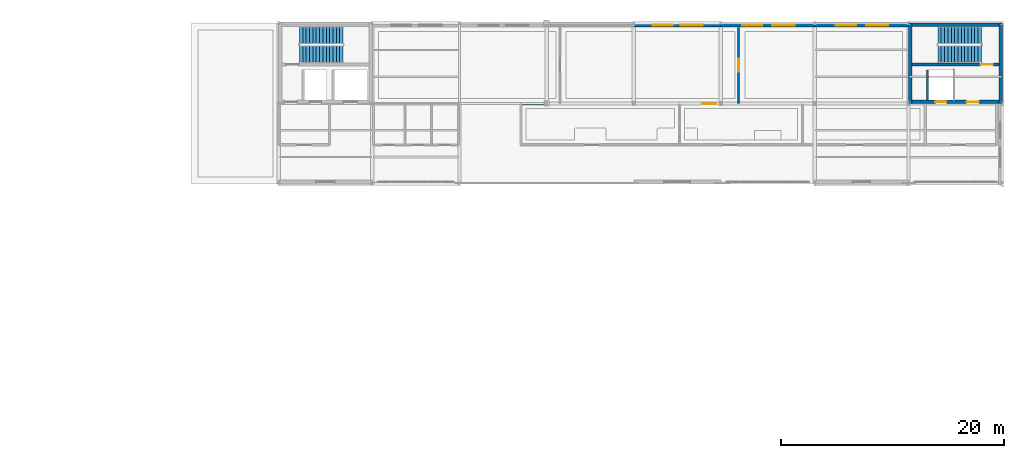
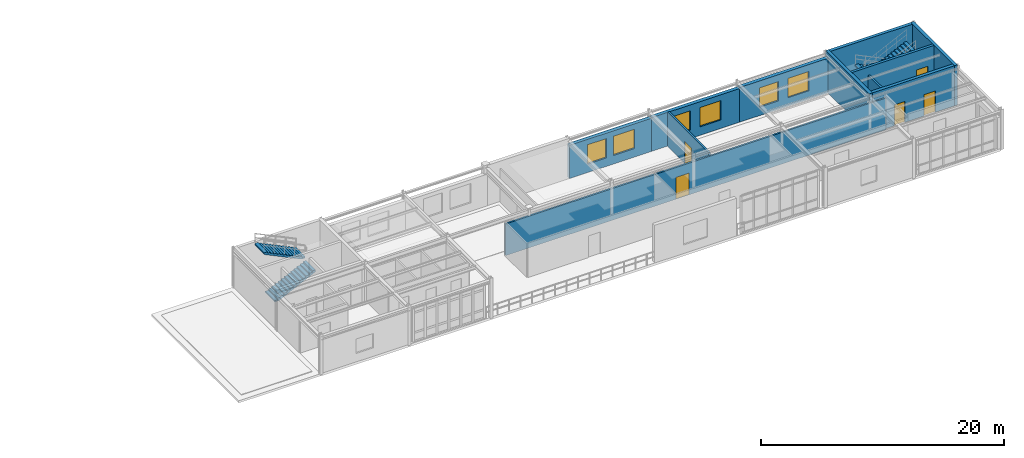
# One storey, part 15 of 20: 11 walls, 6 windows, 5 doors, 4 stair flights, 11 openings, 2 elements without a shape of their own.
"""IFC4 building model written with IfcOpenShell, lengths in metres."""

from ifc_helpers import new_model, si_unit, derived_unit, direction, frame, frame_2d, origin, place, context, subcontext, project, spatial, polyline, rectangle, outline, extrude, material, layer, layer_set, type_object, element, fill, aggregate, save


model = new_model("IFC4")

# Units and contexts
model_context = context("Model", 3, precision=1e-05, world=origin(), true_north=direction((0.0, 1.0)))
body_context = subcontext(model_context, "Body", "Model", "MODEL_VIEW")
ifc_project = project(units=[si_unit("LENGTHUNIT", "METRE"), si_unit("AREAUNIT", "SQUARE_METRE"), si_unit("VOLUMEUNIT", "CUBIC_METRE"), si_unit("PLANEANGLEUNIT", "RADIAN"), si_unit("MASSUNIT", "GRAM", prefix="KILO"), derived_unit("THERMALTRANSMITTANCEUNIT", [(si_unit("POWERUNIT", "WATT"), 1), (si_unit("AREAUNIT", "SQUARE_METRE"), -1), (si_unit("THERMODYNAMICTEMPERATUREUNIT", "KELVIN"), -1)])], contexts=[model_context])

# Site, building, storey
site_placement = place(None, origin())
site = spatial("IfcSite", under=ifc_project, at=site_placement, CompositionType="ELEMENT")
building_placement = place(site_placement, origin())
building = spatial("IfcBuilding", under=site, at=building_placement, Name="Yasenodar Specialist Clinic", CompositionType="ELEMENT")
storey_placement = place(building_placement, frame((0.0, 0.0, 25.35009765625)))
storey = spatial("IfcBuildingStorey", under=building, at=storey_placement, Name="L06", CompositionType="ELEMENT", Elevation=25.35009765625)

# Wall, openings, windows
ifc_material_1 = material(Name="Buff Architectural Terracotta Rainscreen", Category="masonry")
ifc_layer_1 = layer(ifc_material_1, 0.340087890625)
ifc_layer_set_1 = layer_set([ifc_layer_1], Name="Buff Architectural Terracotta Rainscreen")
wall_type_1 = type_object("IfcWallType", Name="EW-TERR-340", PredefinedType="SOLIDWALL", material=ifc_layer_set_1)
wall_1_placement = place(storey_placement, frame((88.800048828125, 111.39990234375, 0.0), z_axis=(0.0, 0.0, 1.0), x_axis=(1.0, 0.0, 0.0)))
wall_1 = element("IfcWall", 1, at=wall_1_placement, inside=storey, type_object=wall_type_1, Name="L06 Exterior Facade Wall 0192", PredefinedType="SOLIDWALL", context=body_context, shape_type="SweptSolid", body=[
    extrude(rectangle(XDim=7.800048828125, YDim=0.340087890625, at=frame_2d((3.89990234375, 0.0))), origin(), (0.0, 0.0, 1.0), 3.337890625),
])
opening_1_placement = place(wall_1_placement, frame((1.699951171875, 0.0, 0.85009765625)))
opening_1 = element("IfcOpeningElement", 2, at=opening_1_placement, cuts=wall_1, Name="Opening W-05", PredefinedType="OPENING", context=body_context, shape_type="SweptSolid", body=[
    extrude(rectangle(XDim=1.800048828125, YDim=1.949951171875, at=frame_2d((0.89990234375, 0.97509765625))), frame((0.0, 0.18017578125, 0.0), z_axis=(0.0, -1.0, 0.0), x_axis=(1.0, 0.0, 0.0)), (0.0, 0.0, 1.0), 0.360107421875),
])
opening_2_placement = place(wall_1_placement, frame((4.199951171875, 0.0, 0.85009765625)))
opening_2 = element("IfcOpeningElement", 3, at=opening_2_placement, cuts=wall_1, Name="Opening W-06", PredefinedType="OPENING", context=body_context, shape_type="SweptSolid", body=[
    extrude(rectangle(XDim=2.0, YDim=1.949951171875, at=frame_2d((1.0, 0.97509765625))), frame((0.0, 0.18017578125, 0.0), z_axis=(0.0, -1.0, 0.0), x_axis=(1.0, 0.0, 0.0)), (0.0, 0.0, 1.0), 0.360107421875),
])
ifc_material_2 = material(Name="Triple Low-E Argon Glazing in Bronze Aluminium Frame", Category="aluminium")
window_type_1 = type_object("IfcWindowType", Name="WIN-EXT-05", PartitioningType="SINGLE_PANEL", PredefinedType="WINDOW", material=ifc_material_2)
window_1_placement = place(opening_1_placement, origin())
window_1 = element("IfcWindow", 4, at=window_1_placement, inside=storey, type_object=window_type_1, Name="L06 Triple-Glazed Reveal Window 0230", OverallHeight=1.949951171875, OverallWidth=1.800048828125, PartitioningType="SINGLE_PANEL", PredefinedType="WINDOW", context=body_context, shape_type="SweptSolid", body=[
    extrude(rectangle(XDim=1.800048828125, YDim=1.949951171875, at=frame_2d((0.89990234375, 0.97509765625))), frame((0.0, 0.030029296875, 0.0), z_axis=(0.0, -1.0, 0.0), x_axis=(1.0, 0.0, 0.0)), (0.0, 0.0, 1.0), 0.06005859375),
])
fill(opening_1, window_1)
window_type_2 = type_object("IfcWindowType", Name="WIN-EXT-06", PartitioningType="SINGLE_PANEL", PredefinedType="WINDOW", material=ifc_material_2)
window_2_placement = place(opening_2_placement, origin())
window_2 = element("IfcWindow", 5, at=window_2_placement, inside=storey, type_object=window_type_2, Name="L06 Triple-Glazed Reveal Window 0231", OverallHeight=1.949951171875, OverallWidth=2.0, PartitioningType="SINGLE_PANEL", PredefinedType="WINDOW", context=body_context, shape_type="SweptSolid", body=[
    extrude(rectangle(XDim=2.0, YDim=1.949951171875, at=frame_2d((1.0, 0.97509765625))), frame((0.0, 0.030029296875, 0.0), z_axis=(0.0, -1.0, 0.0), x_axis=(1.0, 0.0, 0.0)), (0.0, 0.0, 1.0), 0.06005859375),
])
fill(opening_2, window_2)

wall_2_placement = place(storey_placement, frame((105.0, 111.39990234375, 0.0), z_axis=(0.0, 0.0, 1.0), x_axis=(1.0, 0.0, 0.0)))
wall_2 = element("IfcWall", 6, at=wall_2_placement, inside=storey, type_object=wall_type_1, Name="L06 Exterior Facade Wall 0193", PredefinedType="SOLIDWALL", context=body_context, shape_type="SweptSolid", body=[
    extrude(rectangle(XDim=8.39990234375, YDim=0.340087890625, at=frame_2d((4.199951171875, 0.0))), origin(), (0.0, 0.0, 1.0), 3.48779296875),
])
opening_3_placement = place(wall_2_placement, frame((1.89990234375, 0.0, 0.85009765625)))
opening_3 = element("IfcOpeningElement", 7, at=opening_3_placement, cuts=wall_2, Name="Opening W-05", PredefinedType="OPENING", context=body_context, shape_type="SweptSolid", body=[
    extrude(rectangle(XDim=1.800048828125, YDim=1.949951171875, at=frame_2d((0.89990234375, 0.97509765625))), frame((0.0, 0.18017578125, 0.0), z_axis=(0.0, -1.0, 0.0), x_axis=(1.0, 0.0, 0.0)), (0.0, 0.0, 1.0), 0.360107421875),
])
opening_4_placement = place(wall_2_placement, frame((4.60009765625, 0.0, 0.85009765625)))
opening_4 = element("IfcOpeningElement", 8, at=opening_4_placement, cuts=wall_2, Name="Opening W-06", PredefinedType="OPENING", context=body_context, shape_type="SweptSolid", body=[
    extrude(rectangle(XDim=2.0, YDim=1.949951171875, at=frame_2d((1.0, 0.97509765625))), frame((0.0, 0.18017578125, 0.0), z_axis=(0.0, -1.0, 0.0), x_axis=(1.0, 0.0, 0.0)), (0.0, 0.0, 1.0), 0.360107421875),
])
window_3_placement = place(opening_3_placement, origin())
window_3 = element("IfcWindow", 9, at=window_3_placement, inside=storey, type_object=window_type_1, Name="L06 Triple-Glazed Reveal Window 0232", OverallHeight=1.949951171875, OverallWidth=1.800048828125, PartitioningType="SINGLE_PANEL", PredefinedType="WINDOW", context=body_context, shape_type="SweptSolid", body=[
    extrude(rectangle(XDim=1.800048828125, YDim=1.949951171875, at=frame_2d((0.89990234375, 0.97509765625))), frame((0.0, 0.030029296875, 0.0), z_axis=(0.0, -1.0, 0.0), x_axis=(1.0, 0.0, 0.0)), (0.0, 0.0, 1.0), 0.06005859375),
])
fill(opening_3, window_3)
window_4_placement = place(opening_4_placement, origin())
window_4 = element("IfcWindow", 10, at=window_4_placement, inside=storey, type_object=window_type_2, Name="L06 Triple-Glazed Reveal Window 0233", OverallHeight=1.949951171875, OverallWidth=2.0, PartitioningType="SINGLE_PANEL", PredefinedType="WINDOW", context=body_context, shape_type="SweptSolid", body=[
    extrude(rectangle(XDim=2.0, YDim=1.949951171875, at=frame_2d((1.0, 0.97509765625))), frame((0.0, 0.030029296875, 0.0), z_axis=(0.0, -1.0, 0.0), x_axis=(1.0, 0.0, 0.0)), (0.0, 0.0, 1.0), 0.06005859375),
])
fill(opening_4, window_4)

wall_3_placement = place(storey_placement, frame((96.60009765625, 111.39990234375, 0.0), z_axis=(0.0, 0.0, 1.0), x_axis=(1.0, 0.0, 0.0)))
wall_3 = element("IfcWall", 11, at=wall_3_placement, inside=storey, type_object=wall_type_1, Name="L06 Exterior Facade Wall 0194", PredefinedType="SOLIDWALL", context=body_context, shape_type="SweptSolid", body=[
    extrude(rectangle(XDim=8.39990234375, YDim=0.340087890625, at=frame_2d((4.199951171875, 0.0))), origin(), (0.0, 0.0, 1.0), 3.387939453125),
])
opening_5_placement = place(wall_3_placement, frame((1.89990234375, 0.0, 0.85009765625)))
opening_5 = element("IfcOpeningElement", 12, at=opening_5_placement, cuts=wall_3, Name="Opening W-05", PredefinedType="OPENING", context=body_context, shape_type="SweptSolid", body=[
    extrude(rectangle(XDim=1.800048828125, YDim=1.949951171875, at=frame_2d((0.89990234375, 0.97509765625))), frame((0.0, 0.18017578125, 0.0), z_axis=(0.0, -1.0, 0.0), x_axis=(1.0, 0.0, 0.0)), (0.0, 0.0, 1.0), 0.360107421875),
])
opening_6_placement = place(wall_3_placement, frame((4.60009765625, 0.0, 0.85009765625)))
opening_6 = element("IfcOpeningElement", 13, at=opening_6_placement, cuts=wall_3, Name="Opening W-06", PredefinedType="OPENING", context=body_context, shape_type="SweptSolid", body=[
    extrude(rectangle(XDim=2.0, YDim=1.949951171875, at=frame_2d((1.0, 0.97509765625))), frame((0.0, 0.18017578125, 0.0), z_axis=(0.0, -1.0, 0.0), x_axis=(1.0, 0.0, 0.0)), (0.0, 0.0, 1.0), 0.360107421875),
])
window_5_placement = place(opening_5_placement, origin())
window_5 = element("IfcWindow", 14, at=window_5_placement, inside=storey, type_object=window_type_1, Name="L06 Triple-Glazed Reveal Window 0234", OverallHeight=1.949951171875, OverallWidth=1.800048828125, PartitioningType="SINGLE_PANEL", PredefinedType="WINDOW", context=body_context, shape_type="SweptSolid", body=[
    extrude(rectangle(XDim=1.800048828125, YDim=1.949951171875, at=frame_2d((0.89990234375, 0.97509765625))), frame((0.0, 0.030029296875, 0.0), z_axis=(0.0, -1.0, 0.0), x_axis=(1.0, 0.0, 0.0)), (0.0, 0.0, 1.0), 0.06005859375),
])
fill(opening_5, window_5)
window_6_placement = place(opening_6_placement, origin())
window_6 = element("IfcWindow", 15, at=window_6_placement, inside=storey, type_object=window_type_2, Name="L06 Triple-Glazed Reveal Window 0235", OverallHeight=1.949951171875, OverallWidth=2.0, PartitioningType="SINGLE_PANEL", PredefinedType="WINDOW", context=body_context, shape_type="SweptSolid", body=[
    extrude(rectangle(XDim=2.0, YDim=1.949951171875, at=frame_2d((1.0, 0.97509765625))), frame((0.0, 0.030029296875, 0.0), z_axis=(0.0, -1.0, 0.0), x_axis=(1.0, 0.0, 0.0)), (0.0, 0.0, 1.0), 0.06005859375),
])
fill(opening_6, window_6)

# Wall, opening, door
ifc_material_3 = material(Name="Acoustic Double-Gypsum Consulting Partition")
ifc_layer_2 = layer(ifc_material_3, 0.159912109375)
ifc_layer_set_2 = layer_set([ifc_layer_2], Name="Acoustic Double-Gypsum Consulting Partition")
wall_type_2 = type_object("IfcWallType", Name="IW-CONS-160", PredefinedType="PARTITIONING", material=ifc_layer_set_2)
wall_4_placement = place(storey_placement, frame((78.699951171875, 104.35009765625, 0.0), z_axis=(0.0, 0.0, 1.0), x_axis=(1.0, 0.0, 0.0)))
wall_4 = element("IfcWall", 16, at=wall_4_placement, inside=storey, type_object=wall_type_2, Name="L06 Wing V5 L06 North Spine Partition", PredefinedType="PARTITIONING", context=body_context, shape_type="SweptSolid", body=[
    extrude(rectangle(XDim=36.199951171875, YDim=0.159912109375, at=frame_2d((18.10009765625, 0.0))), origin(), (0.0, 0.0, 1.0), 3.18798828125),
])
opening_7_placement = place(wall_4_placement, frame((16.22998046875, 0.0, 0.0)))
opening_7 = element("IfcOpeningElement", 17, at=opening_7_placement, cuts=wall_4, Name="Opening D-07", PredefinedType="OPENING", context=body_context, shape_type="SweptSolid", body=[
    extrude(rectangle(XDim=1.239990234375, YDim=2.199951171875, at=frame_2d((0.6201171875, 1.10009765625))), frame((0.0, 0.08984375, 0.0), z_axis=(0.0, -1.0, 0.0), x_axis=(1.0, 0.0, 0.0)), (0.0, 0.0, 1.0), 0.179931640625),
])
ifc_material_4 = material(Name="Powder-Coated Steel and Acoustic Laminate Leaf", Category="steel")
door_type_1 = type_object("IfcDoorType", Name="DR-CLN-124", OperationType="NOTDEFINED", PredefinedType="DOOR", material=ifc_material_4)
door_1_placement = place(opening_7_placement, origin())
door_1 = element("IfcDoor", 18, at=door_1_placement, inside=storey, type_object=door_type_1, Name="L06 Medical Ethics Seminar Room Door", OperationType="SINGLE_SWING_LEFT", OverallHeight=2.199951171875, OverallWidth=1.239990234375, PredefinedType="DOOR", context=body_context, shape_type="SweptSolid", body=[
    extrude(rectangle(XDim=1.239990234375, YDim=2.199951171875, at=frame_2d((0.6201171875, 1.10009765625))), frame((0.0, 0.02490234375, 0.0), z_axis=(0.0, -1.0, 0.0), x_axis=(1.0, 0.0, 0.0)), (0.0, 0.0, 1.0), 0.050048828125),
])
fill(opening_7, door_1)

ifc_material_5 = material(Name="Hygienic Double-Stud Clinical Partition")
ifc_layer_3 = layer(ifc_material_5, 0.179931640625)
ifc_layer_set_3 = layer_set([ifc_layer_3], Name="Hygienic Double-Stud Clinical Partition")
wall_type_3 = type_object("IfcWallType", Name="IW-PROC-180", PredefinedType="PARTITIONING", material=ifc_layer_set_3)
wall_5_placement = place(storey_placement, frame((98.199951171875, 111.199951171875, 0.0), z_axis=(0.0, 0.0, 1.0), x_axis=(0.0, -1.0, 0.0)))
wall_5 = element("IfcWall", 19, at=wall_5_placement, inside=storey, type_object=wall_type_3, Name="L06 Biostatistics Clinical Trials Suite Partition", PredefinedType="PARTITIONING", context=body_context, shape_type="SweptSolid", body=[
    extrude(rectangle(XDim=6.7900390625, YDim=0.179931640625, at=frame_2d((3.39501953125, 0.0))), origin(), (0.0, 0.0, 1.0), 3.4580078125),
])
opening_8_placement = place(wall_5_placement, frame((2.800048828125, 0.0, 0.0)))
opening_8 = element("IfcOpeningElement", 20, at=opening_8_placement, cuts=wall_5, Name="Opening D-06", PredefinedType="OPENING", context=body_context, shape_type="SweptSolid", body=[
    extrude(rectangle(XDim=1.179931640625, YDim=2.199951171875, at=frame_2d((0.58984375, 1.10009765625))), frame((0.0, 0.10009765625, 0.0), z_axis=(0.0, -1.0, 0.0), x_axis=(1.0, 0.0, 0.0)), (0.0, 0.0, 1.0), 0.199951171875),
])
door_type_2 = type_object("IfcDoorType", Name="DR-CLN-118", OperationType="NOTDEFINED", PredefinedType="DOOR", material=ifc_material_4)
door_2_placement = place(opening_8_placement, origin())
door_2 = element("IfcDoor", 21, at=door_2_placement, inside=storey, type_object=door_type_2, Name="L06 Biostatistics Clinical Trials Suite Door", OperationType="SINGLE_SWING_RIGHT", OverallHeight=2.199951171875, OverallWidth=1.179931640625, PredefinedType="DOOR", context=body_context, shape_type="SweptSolid", body=[
    extrude(rectangle(XDim=1.179931640625, YDim=2.199951171875, at=frame_2d((0.58984375, 1.10009765625))), frame((0.0, 0.02490234375, 0.0), z_axis=(0.0, -1.0, 0.0), x_axis=(1.0, 0.0, 0.0)), (0.0, 0.0, 1.0), 0.050048828125),
])
fill(opening_8, door_2)

# Wall
ifc_material_6 = material(Name="Aerated Concrete Blockwork Fire Shaft Wall", Category="masonry")
ifc_layer_4 = layer(ifc_material_6, 0.205078125)
ifc_layer_set_4 = layer_set([ifc_layer_4], Name="Aerated Concrete Blockwork Fire Shaft Wall")
wall_type_4 = type_object("IfcWallType", Name="IW-SHAFT-205", PredefinedType="PARTITIONING", material=ifc_layer_set_4)
wall_6_placement = place(storey_placement, frame((115.10009765625, 104.699951171875, 0.0), z_axis=(0.0, 0.0, 1.0), x_axis=(0.0, 1.0, 0.0)))
element("IfcWall", 22, at=wall_6_placement, inside=storey, type_object=wall_type_4, Name="L06 LF-08 Lift Shaft Side Wall", PredefinedType="PARTITIONING", context=body_context, shape_type="SweptSolid", body=[
    extrude(rectangle(XDim=2.699951171875, YDim=0.205078125, at=frame_2d((1.35009765625, 0.0))), origin(), (0.0, 0.0, 1.0), 3.537841796875),
])

# Wall, opening, door
ifc_material_7 = material(Name="Concrete C35/45", Category="concrete")
ifc_layer_5 = layer(ifc_material_7, 0.25)
ifc_layer_set_5 = layer_set([ifc_layer_5], Name="Concrete C35/45")
wall_type_5 = type_object("IfcWallType", Name="WL-CORE-250", PredefinedType="SHEAR", material=ifc_layer_set_5)
wall_7_placement = place(storey_placement, frame((113.699951171875, 107.89990234375, 0.0), z_axis=(0.0, 0.0, 1.0), x_axis=(1.0, 0.0, 0.0)))
wall_7 = element("IfcWall", 23, at=wall_7_placement, inside=storey, type_object=wall_type_5, Name="L06 Core C5 Central Spine Wall", PredefinedType="SHEAR", context=body_context, shape_type="SweptSolid", body=[
    extrude(rectangle(XDim=7.800048828125, YDim=0.25, at=frame_2d((3.89990234375, 0.0))), origin(), (0.0, 0.0, 1.0), 4.0498046875),
])
opening_9_placement = place(wall_7_placement, frame((6.14990234375, 0.0, 0.0)))
opening_9 = element("IfcOpeningElement", 24, at=opening_9_placement, cuts=wall_7, Name="Opening FD-01", PredefinedType="OPENING", context=body_context, shape_type="SweptSolid", body=[
    extrude(rectangle(XDim=1.10009765625, YDim=2.14990234375, at=frame_2d((0.550048828125, 1.074951171875))), frame((0.0, 0.135009765625, 0.0), z_axis=(0.0, -1.0, 0.0), x_axis=(1.0, 0.0, 0.0)), (0.0, 0.0, 1.0), 0.27001953125),
])
ifc_material_8 = material(Name="Fire-Rated Insulated Steel Door", Category="steel")
door_type_3 = type_object("IfcDoorType", Name="DR-FD-110", OperationType="NOTDEFINED", PredefinedType="DOOR", material=ifc_material_8)
door_3_placement = place(opening_9_placement, origin())
door_3 = element("IfcDoor", 25, at=door_3_placement, inside=storey, type_object=door_type_3, Name="L06 ST-05 Protected Stair Door", OperationType="SINGLE_SWING_RIGHT", OverallHeight=2.14990234375, OverallWidth=1.10009765625, PredefinedType="DOOR", context=body_context, shape_type="SweptSolid", body=[
    extrude(rectangle(XDim=1.10009765625, YDim=2.14990234375, at=frame_2d((0.550048828125, 1.074951171875))), frame((0.0, 0.02490234375, 0.0), z_axis=(0.0, -1.0, 0.0), x_axis=(1.0, 0.0, 0.0)), (0.0, 0.0, 1.0), 0.050048828125),
])
fill(opening_9, door_3)

# Wall
ifc_layer_6 = layer(ifc_material_7, 0.300048828125)
ifc_layer_set_6 = layer_set([ifc_layer_6], Name="Concrete C35/45")
wall_type_6 = type_object("IfcWallType", Name="WL-CORE-300", PredefinedType="SHEAR", material=ifc_layer_set_6)
wall_8_placement = place(storey_placement, frame((113.39990234375, 111.449951171875, 0.0), z_axis=(0.0, 0.0, 1.0), x_axis=(1.0, 0.0, 0.0)))
element("IfcWall", 26, at=wall_8_placement, inside=storey, type_object=wall_type_6, Name="L06 Core C5 North Shear Wall", PredefinedType="SHEAR", context=body_context, shape_type="SweptSolid", body=[
    extrude(rectangle(XDim=8.400146484375, YDim=0.300048828125, at=frame_2d((4.2001953125, 0.0))), origin(), (0.0, 0.0, 1.0), 4.0498046875),
])

# Wall, openings, doors
wall_9_placement = place(storey_placement, frame((113.39990234375, 104.550048828125, 0.0), z_axis=(0.0, 0.0, 1.0), x_axis=(1.0, 0.0, 0.0)))
wall_9 = element("IfcWall", 27, at=wall_9_placement, inside=storey, type_object=wall_type_6, Name="L06 Core C5 South Shear Wall", PredefinedType="SHEAR", context=body_context, shape_type="SweptSolid", body=[
    extrude(rectangle(XDim=8.400146484375, YDim=0.300048828125, at=frame_2d((4.2001953125, 0.0))), origin(), (0.0, 0.0, 1.0), 4.0498046875),
])
opening_10_placement = place(wall_9_placement, frame((5.199951171875, 0.0, 0.0)))
opening_10 = element("IfcOpeningElement", 28, at=opening_10_placement, cuts=wall_9, Name="Opening FD-01", PredefinedType="OPENING", context=body_context, shape_type="SweptSolid", body=[
    extrude(rectangle(XDim=1.10009765625, YDim=2.14990234375, at=frame_2d((0.550048828125, 1.074951171875))), frame((0.0, 0.16015625, 0.0), z_axis=(0.0, -1.0, 0.0), x_axis=(1.0, 0.0, 0.0)), (0.0, 0.0, 1.0), 0.320068359375),
])
opening_11_placement = place(wall_9_placement, frame((2.39990234375, 0.0, 0.0)))
opening_11 = element("IfcOpeningElement", 29, at=opening_11_placement, cuts=wall_9, Name="Opening LD-01", PredefinedType="OPENING", context=body_context, shape_type="SweptSolid", body=[
    extrude(rectangle(XDim=1.0, YDim=2.10009765625, at=frame_2d((0.5, 1.050048828125))), frame((0.0, 0.16015625, 0.0), z_axis=(0.0, -1.0, 0.0), x_axis=(1.0, 0.0, 0.0)), (0.0, 0.0, 1.0), 0.320068359375),
])
door_4_placement = place(opening_10_placement, origin())
door_4 = element("IfcDoor", 30, at=door_4_placement, inside=storey, type_object=door_type_3, Name="L06 Stair ST-05 Vestibule Door", OperationType="SINGLE_SWING_LEFT", OverallHeight=2.14990234375, OverallWidth=1.10009765625, PredefinedType="DOOR", context=body_context, shape_type="SweptSolid", body=[
    extrude(rectangle(XDim=1.10009765625, YDim=2.14990234375, at=frame_2d((0.550048828125, 1.074951171875))), frame((0.0, 0.02490234375, 0.0), z_axis=(0.0, -1.0, 0.0), x_axis=(1.0, 0.0, 0.0)), (0.0, 0.0, 1.0), 0.050048828125),
])
fill(opening_10, door_4)
door_type_4 = type_object("IfcDoorType", Name="DR-LD-100", OperationType="DOUBLE_DOOR_SLIDING", PredefinedType="DOOR", material=ifc_material_8)
door_5_placement = place(opening_11_placement, origin())
door_5 = element("IfcDoor", 31, at=door_5_placement, inside=storey, type_object=door_type_4, Name="L06 LF-08 Lift Landing Door", OperationType="DOUBLE_DOOR_SLIDING", OverallHeight=2.10009765625, OverallWidth=1.0, PredefinedType="DOOR", context=body_context, shape_type="SweptSolid", body=[
    extrude(rectangle(XDim=1.0, YDim=2.10009765625, at=frame_2d((0.5, 1.050048828125))), frame((0.0, 0.02490234375, 0.0), z_axis=(0.0, -1.0, 0.0), x_axis=(1.0, 0.0, 0.0)), (0.0, 0.0, 1.0), 0.050048828125),
])
fill(opening_11, door_5)

# Walls
for number, where, z_axis, x_axis, name in (
    (32, (113.550048828125, 104.39990234375, 0.0), (0.0, 0.0, 1.0), (0.0, 1.0, 0.0), "L06 Core C5 West Shear Wall"),
    (33, (121.64990234375, 111.60009765625, 0.0), (0.0, 0.0, 1.0), (0.0, -1.0, 0.0), "L06 Core C5 East Shear Wall"),
):
    element("IfcWall", number, at=place(storey_placement, frame(where, z_axis=z_axis, x_axis=x_axis)), inside=storey, type_object=wall_type_6, Name=name, PredefinedType="SHEAR", context=body_context, shape_type="SweptSolid", body=[
        extrude(rectangle(XDim=7.2001953125, YDim=0.300048828125, at=frame_2d((3.60009765625, 0.0))), origin(), (0.0, 0.0, 1.0), 4.0498046875),
    ])

# Stair, stair flights
ifc_material_9 = material(Name="Concrete C30/37", Category="concrete")
stair_type = type_object("IfcStairType", Name="ST-DOG-C4-28", PredefinedType="HALF_TURN_STAIR", material=ifc_material_9)
stair_1_placement = place(storey_placement, origin())
stair_1 = element("IfcStair", 34, at=stair_1_placement, inside=storey, type_object=stair_type, Name="L06 Core C4 Exit Stair ST-04", PredefinedType="HALF_TURN_STAIR")
stair_flight_type = type_object("IfcStairFlightType", Name="STF-C4-28", PredefinedType="STRAIGHT", material=ifc_material_9)
stair_flight_1_placement = place(storey_placement, frame((58.8701171875, 108.794921875, 0.0), z_axis=(0.0, 0.0, 1.0), x_axis=(1.0, 0.0, 0.0)))
stair_flight_1 = element("IfcStairFlight", 35, at=stair_flight_1_placement, type_object=stair_flight_type, Name="ST-04 flight 1", NumberOfRisers=14, NumberOfTreads=13, PredefinedType="STRAIGHT", RiserHeight=0.144642857, TreadLength=0.3, context=body_context, shape_type="SweptSolid", body=[
    extrude(outline(polyline([(0.0, 0.0), (0.0, 0.14453125), (0.300048828125, 0.14453125), (0.300048828125, 0.289306640625), (0.60009765625, 0.289306640625), (0.60009765625, 0.433837890625), (0.89990234375, 0.433837890625), (0.89990234375, 0.57861328125), (1.199951171875, 0.57861328125), (1.199951171875, 0.72314453125), (1.5, 0.72314453125), (1.5, 0.867919921875), (1.800048828125, 0.867919921875), (1.800048828125, 1.012451171875), (2.10009765625, 1.012451171875), (2.10009765625, 1.1572265625), (2.39990234375, 1.1572265625), (2.39990234375, 1.3017578125), (2.699951171875, 1.3017578125), (2.699951171875, 1.446533203125), (3.0, 1.446533203125), (3.0, 1.591064453125), (3.300048828125, 1.591064453125), (3.300048828125, 1.735595703125), (3.60009765625, 1.735595703125), (3.60009765625, 1.88037109375), (3.89990234375, 1.88037109375), (3.89990234375, 2.02490234375), (3.89990234375, 1.702880859375), (0.3681640625, 0.0), (0.0, 0.0)])), frame((0.0, 0.78515625, 0.0), z_axis=(0.0, -1.0, 0.0), x_axis=(1.0, 0.0, 0.0)), (0.0, 0.0, 1.0), 1.570068359375),
])
stair_flight_2_placement = place(storey_placement, frame((62.77001953125, 110.52490234375, 2.02490234375), z_axis=(0.0, 0.0, 1.0), x_axis=(-1.0, 0.0, 0.0)))
stair_flight_2 = element("IfcStairFlight", 36, at=stair_flight_2_placement, type_object=stair_flight_type, Name="ST-04 flight 2", NumberOfRisers=14, NumberOfTreads=13, PredefinedType="STRAIGHT", RiserHeight=0.144642857, TreadLength=0.3, context=body_context, shape_type="SweptSolid", body=[
    extrude(outline(polyline([(0.0, 0.0), (0.0, 0.14453125), (0.300048828125, 0.14453125), (0.300048828125, 0.289306640625), (0.60009765625, 0.289306640625), (0.60009765625, 0.433837890625), (0.89990234375, 0.433837890625), (0.89990234375, 0.57861328125), (1.199951171875, 0.57861328125), (1.199951171875, 0.72314453125), (1.5, 0.72314453125), (1.5, 0.867919921875), (1.800048828125, 0.867919921875), (1.800048828125, 1.012451171875), (2.10009765625, 1.012451171875), (2.10009765625, 1.1572265625), (2.39990234375, 1.1572265625), (2.39990234375, 1.3017578125), (2.699951171875, 1.3017578125), (2.699951171875, 1.446533203125), (3.0, 1.446533203125), (3.0, 1.591064453125), (3.300048828125, 1.591064453125), (3.300048828125, 1.735595703125), (3.60009765625, 1.735595703125), (3.60009765625, 1.88037109375), (3.89990234375, 1.88037109375), (3.89990234375, 2.02490234375), (3.89990234375, 1.702880859375), (0.3681640625, 0.0), (0.0, 0.0)])), frame((0.0, 0.78515625, 0.0), z_axis=(0.0, -1.0, 0.0), x_axis=(1.0, 0.0, 0.0)), (0.0, 0.0, 1.0), 1.570068359375),
])
aggregate(stair_1, [stair_flight_1, stair_flight_2])

stair_2_placement = place(storey_placement, origin())
stair_2 = element("IfcStair", 37, at=stair_2_placement, inside=storey, type_object=stair_type, Name="L06 Core C5 Exit Stair ST-05", PredefinedType="HALF_TURN_STAIR")
stair_flight_3_placement = place(storey_placement, frame((119.929931640625, 110.52490234375, 0.0), z_axis=(0.0, 0.0, 1.0), x_axis=(-1.0, 0.0, 0.0)))
stair_flight_3 = element("IfcStairFlight", 38, at=stair_flight_3_placement, type_object=stair_flight_type, Name="ST-05 flight 1", NumberOfRisers=14, NumberOfTreads=13, PredefinedType="STRAIGHT", RiserHeight=0.144642857, TreadLength=0.3, context=body_context, shape_type="SweptSolid", body=[
    extrude(outline(polyline([(0.0, 0.0), (0.0, 0.14453125), (0.300048828125, 0.14453125), (0.300048828125, 0.289306640625), (0.60009765625, 0.289306640625), (0.60009765625, 0.433837890625), (0.89990234375, 0.433837890625), (0.89990234375, 0.57861328125), (1.199951171875, 0.57861328125), (1.199951171875, 0.72314453125), (1.5, 0.72314453125), (1.5, 0.867919921875), (1.800048828125, 0.867919921875), (1.800048828125, 1.012451171875), (2.10009765625, 1.012451171875), (2.10009765625, 1.1572265625), (2.39990234375, 1.1572265625), (2.39990234375, 1.3017578125), (2.699951171875, 1.3017578125), (2.699951171875, 1.446533203125), (3.0, 1.446533203125), (3.0, 1.591064453125), (3.300048828125, 1.591064453125), (3.300048828125, 1.735595703125), (3.60009765625, 1.735595703125), (3.60009765625, 1.88037109375), (3.89990234375, 1.88037109375), (3.89990234375, 2.02490234375), (3.89990234375, 1.702880859375), (0.3681640625, 0.0), (0.0, 0.0)])), frame((0.0, 0.78515625, 0.0), z_axis=(0.0, -1.0, 0.0), x_axis=(1.0, 0.0, 0.0)), (0.0, 0.0, 1.0), 1.570068359375),
])
stair_flight_4_placement = place(storey_placement, frame((116.030029296875, 108.794921875, 2.02490234375), z_axis=(0.0, 0.0, 1.0), x_axis=(1.0, 0.0, 0.0)))
stair_flight_4 = element("IfcStairFlight", 39, at=stair_flight_4_placement, type_object=stair_flight_type, Name="ST-05 flight 2", NumberOfRisers=14, NumberOfTreads=13, PredefinedType="STRAIGHT", RiserHeight=0.144642857, TreadLength=0.3, context=body_context, shape_type="SweptSolid", body=[
    extrude(outline(polyline([(0.0, 0.0), (0.0, 0.14453125), (0.300048828125, 0.14453125), (0.300048828125, 0.289306640625), (0.60009765625, 0.289306640625), (0.60009765625, 0.433837890625), (0.89990234375, 0.433837890625), (0.89990234375, 0.57861328125), (1.199951171875, 0.57861328125), (1.199951171875, 0.72314453125), (1.5, 0.72314453125), (1.5, 0.867919921875), (1.800048828125, 0.867919921875), (1.800048828125, 1.012451171875), (2.10009765625, 1.012451171875), (2.10009765625, 1.1572265625), (2.39990234375, 1.1572265625), (2.39990234375, 1.3017578125), (2.699951171875, 1.3017578125), (2.699951171875, 1.446533203125), (3.0, 1.446533203125), (3.0, 1.591064453125), (3.300048828125, 1.591064453125), (3.300048828125, 1.735595703125), (3.60009765625, 1.735595703125), (3.60009765625, 1.88037109375), (3.89990234375, 1.88037109375), (3.89990234375, 2.02490234375), (3.89990234375, 1.702880859375), (0.3681640625, 0.0), (0.0, 0.0)])), frame((0.0, 0.78515625, 0.0), z_axis=(0.0, -1.0, 0.0), x_axis=(1.0, 0.0, 0.0)), (0.0, 0.0, 1.0), 1.570068359375),
])
aggregate(stair_2, [stair_flight_3, stair_flight_4])

save(model, "model.ifc")
